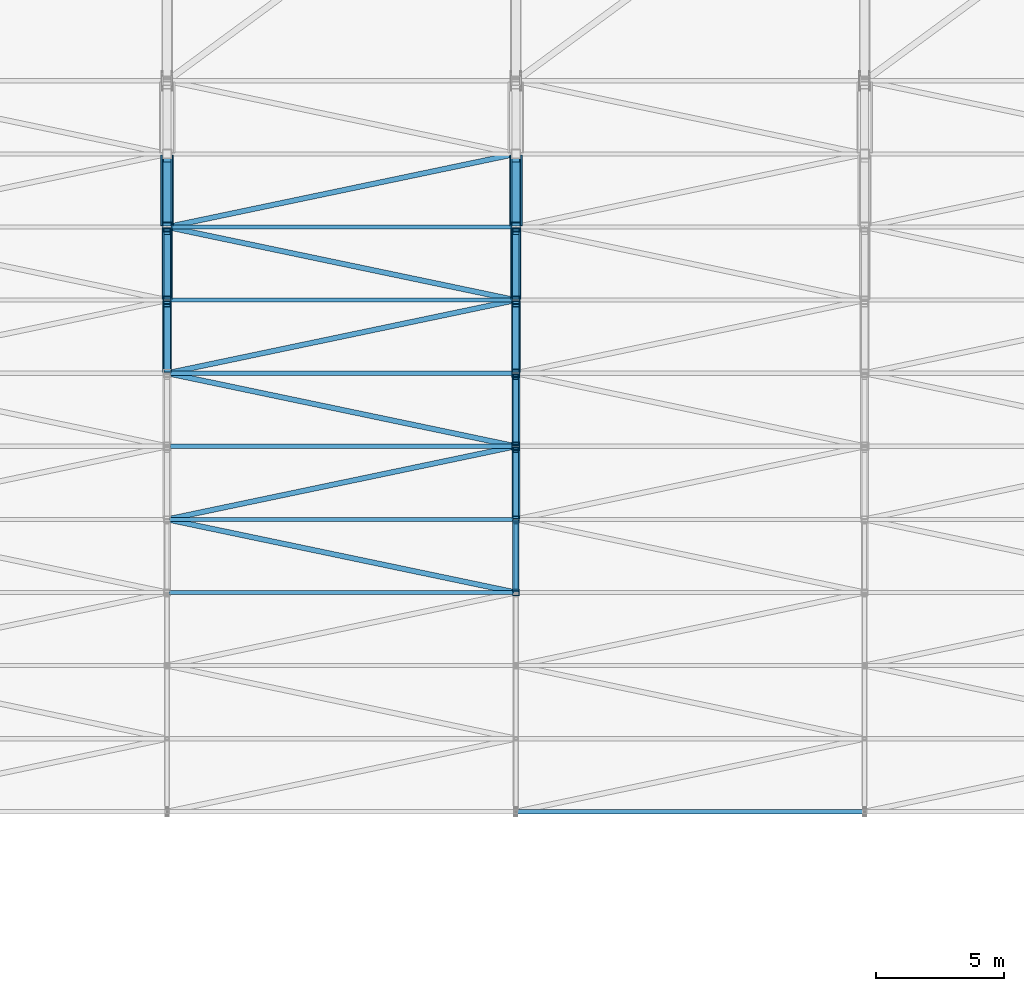
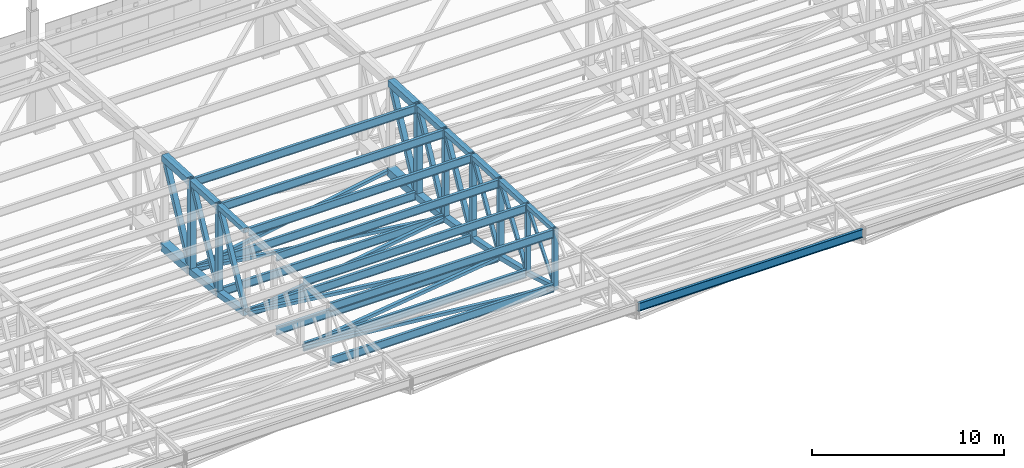
# One storey, part 81 of 278: 28 members, 26 beams.
"""IFC4 building model written with IfcOpenShell, lengths in metres."""

from ifc_helpers import new_model, si_unit, direction, frame, origin, origin_2d, place, context, subcontext, project, spatial, hollow_rectangle, i_section, extrude, material, material_profile, profile_set, type_object, element, save


model = new_model("IFC4")

# Units and contexts
model_context = context("Model", 3, precision=1e-05, world=origin(), true_north=direction((0.0, 1.0)))
body_context = subcontext(model_context, "Body", "Model", "MODEL_VIEW")
ifc_project = project(units=[si_unit("LENGTHUNIT", "METRE"), si_unit("AREAUNIT", "SQUARE_METRE"), si_unit("VOLUMEUNIT", "CUBIC_METRE"), si_unit("PLANEANGLEUNIT", "RADIAN"), si_unit("MASSUNIT", "GRAM", prefix="KILO")], contexts=[model_context])

# Site, building, storey
site_placement = place(None, origin())
site = spatial("IfcSite", under=ifc_project, at=site_placement, CompositionType="ELEMENT")
building_placement = place(site_placement, origin())
building = spatial("IfcBuilding", under=site, at=building_placement, Name="Ogive Plaza Stadium", CompositionType="ELEMENT")
storey_placement = place(building_placement, frame((0.0, 0.0, 29.0)))
storey = spatial("IfcBuildingStorey", under=building, at=storey_placement, Name="Roof", CompositionType="ELEMENT", Elevation=29.0)

# Members
ifc_material_1 = material(Name="Steel ASTM A500 Grade C", Category="steel")
ifc_material_profile_1 = material_profile(ifc_material_1, hollow_rectangle(XDim=0.203125, YDim=0.203125, WallThickness=0.0087890625, at=origin_2d()), Name="HSS8X8X3/8")
ifc_profile_set_1 = profile_set([ifc_material_profile_1], Name="Steel ASTM A500 Grade C")
member_type_1 = type_object("IfcMemberType", Name="Roof plan brace HSS8X8X3/8", PredefinedType="BRACE", material=ifc_profile_set_1)
member_1_placement = place(storey_placement, frame((6.70703125, 72.569580078125, 3.269775390625), z_axis=(-0.977082530992, 0.204752597487, -0.058190217838), x_axis=(-0.205100136873, -0.978740994265, 0.0)))
element("IfcMember", 1, at=member_1_placement, inside=storey, type_object=member_type_1, Name="ROOF BRACE B34 4", PredefinedType="BRACE", context=body_context, shape_type="SweptSolid", body=[
    extrude(hollow_rectangle(XDim=0.203125, YDim=0.203125, WallThickness=0.0087890625, at=origin_2d()), origin(), (0.0, 0.0, 1.0), 13.70263671875),
])
member_2_placement = place(storey_placement, frame((-6.681640625, 75.4248046875, 2.459228515625), z_axis=(0.977474612888, 0.204849020574, -0.05079625901), x_axis=(-0.205113814972, 0.97873812785, 0.0)))
element("IfcMember", 2, at=member_2_placement, inside=storey, type_object=member_type_1, Name="ROOF BRACE B34 5", PredefinedType="BRACE", context=body_context, shape_type="SweptSolid", body=[
    extrude(hollow_rectangle(XDim=0.203125, YDim=0.203125, WallThickness=0.0087890625, at=origin_2d()), origin(), (0.0, 0.0, 1.0), 13.64501953125),
])
member_3_placement = place(storey_placement, frame((6.656005859375, 78.280029296875, 1.752685546875), z_axis=(-0.977964741521, 0.204951823008, -0.039745623505), x_axis=(-0.20511389775, -0.978738110502, 0.0)))
element("IfcMember", 3, at=member_3_placement, inside=storey, type_object=member_type_1, Name="ROOF BRACE B34 6", PredefinedType="BRACE", context=body_context, shape_type="SweptSolid", body=[
    extrude(hollow_rectangle(XDim=0.203125, YDim=0.203125, WallThickness=0.0087890625, at=origin_2d()), origin(), (0.0, 0.0, 1.0), 13.612060546875),
])
member_4_placement = place(storey_placement, frame((-6.656005859375, 81.130126953125, 1.201416015625), z_axis=(0.978281677064, 0.20501824311, -0.030536540629), x_axis=(-0.20511389775, 0.978738110502, 0.0)))
element("IfcMember", 4, at=member_4_placement, inside=storey, type_object=member_type_1, Name="ROOF BRACE B34 7", PredefinedType="BRACE", context=body_context, shape_type="SweptSolid", body=[
    extrude(hollow_rectangle(XDim=0.203125, YDim=0.203125, WallThickness=0.0087890625, at=origin_2d()), origin(), (0.0, 0.0, 1.0), 13.607666015625),
])
member_5_placement = place(storey_placement, frame((6.656005859375, 83.980224609375, 0.778564453125), z_axis=(-0.978553602064, 0.20507154885, -0.019455275393), x_axis=(-0.205110370456, -0.97873884971, 0.0)))
element("IfcMember", 5, at=member_5_placement, inside=storey, type_object=member_type_1, Name="ROOF BRACE B34 8", PredefinedType="BRACE", context=body_context, shape_type="SweptSolid", body=[
    extrude(hollow_rectangle(XDim=0.203125, YDim=0.203125, WallThickness=0.0087890625, at=origin_2d()), origin(), (0.0, 0.0, 1.0), 13.577880859375),
])
member_6_placement = place(storey_placement, frame((-6.630615234375, 86.83544921875, 0.50927734375), z_axis=(0.978688515833, 0.205096126067, -0.010216068126), x_axis=(-0.205106829646, 0.978739591736, 0.0)))
element("IfcMember", 6, at=member_6_placement, inside=storey, type_object=member_type_1, Name="ROOF BRACE B34 9", PredefinedType="BRACE", context=body_context, shape_type="SweptSolid", body=[
    extrude(hollow_rectangle(XDim=0.203125, YDim=0.203125, WallThickness=0.0087890625, at=origin_2d()), origin(), (0.0, 0.0, 1.0), 13.550048828125),
])
ifc_material_2 = material(Name="Steel ASTM A992 Grade 50", Category="steel")
ifc_material_profile_2 = material_profile(ifc_material_2, i_section(OverallWidth=0.1650390625, OverallDepth=0.524658203125, WebThickness=0.0087890625, FlangeThickness=0.011474609375, at=origin_2d()), Name="W21X44")
ifc_profile_set_2 = profile_set([ifc_material_profile_2], Name="Steel ASTM A992 Grade 50")
member_type_2 = type_object("IfcMemberType", Name="Roof plan strut W21X44", PredefinedType="STRUT", material=ifc_profile_set_2)
member_7_placement = place(storey_placement, frame((-6.728515625, 72.550048828125, 3.275146484375), z_axis=(1.0, 0.0, 0.0), x_axis=(0.0, 1.0, 0.0)))
element("IfcMember", 7, at=member_7_placement, inside=storey, type_object=member_type_2, Name="ROOF STRUT B34 3", PredefinedType="STRUT", context=body_context, shape_type="SweptSolid", body=[
    extrude(i_section(OverallWidth=0.1650390625, OverallDepth=0.524658203125, WebThickness=0.0087890625, FlangeThickness=0.011474609375, at=origin_2d()), origin(), (0.0, 0.0, 1.0), 13.45703125),
])
member_8_placement = place(storey_placement, frame((-6.702880859375, 75.39990234375, 2.46533203125), z_axis=(1.0, 0.0, 0.0), x_axis=(0.0, 1.0, 0.0)))
element("IfcMember", 8, at=member_8_placement, inside=storey, type_object=member_type_2, Name="ROOF STRUT B34 4", PredefinedType="STRUT", context=body_context, shape_type="SweptSolid", body=[
    extrude(i_section(OverallWidth=0.1650390625, OverallDepth=0.524658203125, WebThickness=0.0087890625, FlangeThickness=0.011474609375, at=origin_2d()), origin(), (0.0, 0.0, 1.0), 13.40576171875),
])
for number, where, z_axis, x_axis, name in (
    (9, (-6.677490234375, 78.25, 1.758544921875), (1.0, 0.0, 0.0), (0.0, 1.0, 0.0), "ROOF STRUT B34 5"),
    (10, (-6.677490234375, 81.10009765625, 1.205810546875), (1.0, 0.0, 0.0), (0.0, 1.0, 0.0), "ROOF STRUT B34 6"),
    (11, (-6.677490234375, 83.949951171875, 0.781494140625), (1.0, 0.0, 0.0), (0.0, 1.0, 0.0), "ROOF STRUT B34 7"),
):
    element("IfcMember", number, at=place(storey_placement, frame(where, z_axis=z_axis, x_axis=x_axis)), inside=storey, type_object=member_type_2, Name=name, PredefinedType="STRUT", context=body_context, shape_type="SweptSolid", body=[
        extrude(i_section(OverallWidth=0.1650390625, OverallDepth=0.524658203125, WebThickness=0.0087890625, FlangeThickness=0.011474609375, at=origin_2d()), origin(), (0.0, 0.0, 1.0), 13.35498046875),
    ])
member_9_placement = place(storey_placement, frame((-6.652099609375, 86.800048828125, 0.510986328125), z_axis=(1.0, 0.0, 0.0), x_axis=(0.0, 1.0, 0.0)))
element("IfcMember", 12, at=member_9_placement, inside=storey, type_object=member_type_2, Name="ROOF STRUT B34 8", PredefinedType="STRUT", context=body_context, shape_type="SweptSolid", body=[
    extrude(i_section(OverallWidth=0.1650390625, OverallDepth=0.524658203125, WebThickness=0.0087890625, FlangeThickness=0.011474609375, at=origin_2d()), origin(), (0.0, 0.0, 1.0), 13.30419921875),
])
ifc_material_3 = material(Name="Steel ASTM A992 Grade 50", Category="steel")
ifc_material_profile_3 = material_profile(ifc_material_3, i_section(OverallWidth=0.1650390625, OverallDepth=0.524658203125, WebThickness=0.0087890625, FlangeThickness=0.011474609375, at=origin_2d()), Name="W21X44")
ifc_profile_set_3 = profile_set([ifc_material_profile_3], Name="Steel ASTM A992 Grade 50")
member_type_3 = type_object("IfcMemberType", Name="Roof purlin W21X44", PredefinedType="PURLIN", material=ifc_profile_set_3)
member_10_placement = place(storey_placement, frame((-6.728515625, 72.550048828125, 6.735107421875), z_axis=(1.0, 0.0, 0.0), x_axis=(0.0, 1.0, 0.0)))
element("IfcMember", 13, at=member_10_placement, inside=storey, type_object=member_type_3, Name="ROOF PURLIN B34 3", PredefinedType="PURLIN", context=body_context, shape_type="SweptSolid", body=[
    extrude(i_section(OverallWidth=0.1650390625, OverallDepth=0.524658203125, WebThickness=0.0087890625, FlangeThickness=0.011474609375, at=origin_2d()), origin(), (0.0, 0.0, 1.0), 13.45703125),
])
member_11_placement = place(storey_placement, frame((-6.702880859375, 75.39990234375, 6.592529296875), z_axis=(1.0, 0.0, 0.0), x_axis=(0.0, 1.0, 0.0)))
element("IfcMember", 14, at=member_11_placement, inside=storey, type_object=member_type_3, Name="ROOF PURLIN B34 4", PredefinedType="PURLIN", context=body_context, shape_type="SweptSolid", body=[
    extrude(i_section(OverallWidth=0.1650390625, OverallDepth=0.524658203125, WebThickness=0.0087890625, FlangeThickness=0.011474609375, at=origin_2d()), origin(), (0.0, 0.0, 1.0), 13.40576171875),
])
for number, where, z_axis, x_axis, name in (
    (15, (-6.677490234375, 78.25, 6.4501953125), (1.0, 0.0, 0.0), (0.0, 1.0, 0.0), "ROOF PURLIN B34 5"),
    (16, (-6.677490234375, 81.10009765625, 6.3076171875), (1.0, 0.0, 0.0), (0.0, 1.0, 0.0), "ROOF PURLIN B34 6"),
    (17, (-6.677490234375, 83.949951171875, 6.1650390625), (1.0, 0.0, 0.0), (0.0, 1.0, 0.0), "ROOF PURLIN B34 7"),
):
    element("IfcMember", number, at=place(storey_placement, frame(where, z_axis=z_axis, x_axis=x_axis)), inside=storey, type_object=member_type_3, Name=name, PredefinedType="PURLIN", context=body_context, shape_type="SweptSolid", body=[
        extrude(i_section(OverallWidth=0.1650390625, OverallDepth=0.524658203125, WebThickness=0.0087890625, FlangeThickness=0.011474609375, at=origin_2d()), origin(), (0.0, 0.0, 1.0), 13.35498046875),
    ])
member_12_placement = place(storey_placement, frame((-6.652099609375, 86.800048828125, 6.022705078125), z_axis=(1.0, 0.0, 0.0), x_axis=(0.0, 1.0, 0.0)))
element("IfcMember", 18, at=member_12_placement, inside=storey, type_object=member_type_3, Name="ROOF PURLIN B34 8", PredefinedType="PURLIN", context=body_context, shape_type="SweptSolid", body=[
    extrude(i_section(OverallWidth=0.1650390625, OverallDepth=0.524658203125, WebThickness=0.0087890625, FlangeThickness=0.011474609375, at=origin_2d()), origin(), (0.0, 0.0, 1.0), 13.30419921875),
])
ifc_material_4 = material(Name="Steel ASTM A992 Grade 50", Category="steel")
ifc_material_profile_4 = material_profile(ifc_material_4, i_section(OverallWidth=0.1650390625, OverallDepth=0.524658203125, WebThickness=0.0087890625, FlangeThickness=0.011474609375, at=origin_2d()), Name="W21X44")
ifc_profile_set_4 = profile_set([ifc_material_profile_4], Name="Steel ASTM A992 Grade 50")
member_type_4 = type_object("IfcMemberType", Name="Roof tip ring beam W21X44", PredefinedType="MEMBER", material=ifc_profile_set_4)
member_13_placement = place(storey_placement, frame((6.84619140625, 64.0, 7.16259765625), z_axis=(1.0, 0.0, 0.0), x_axis=(0.0, 1.0, 0.0)))
element("IfcMember", 19, at=member_13_placement, inside=storey, type_object=member_type_4, Name="RING BEAM B35", PredefinedType="MEMBER", context=body_context, shape_type="SweptSolid", body=[
    extrude(i_section(OverallWidth=0.1650390625, OverallDepth=0.524658203125, WebThickness=0.0087890625, FlangeThickness=0.011474609375, at=origin_2d()), origin(), (0.0, 0.0, 1.0), 13.507568359375),
])

# Beams
ifc_material_5 = material(Name="Steel ASTM A500 Grade C", Category="steel")
ifc_material_profile_5 = material_profile(ifc_material_5, hollow_rectangle(XDim=0.25390625, YDim=0.25390625, WallThickness=0.01171875, at=origin_2d()), Name="HSS10X10X1/2")
ifc_profile_set_5 = profile_set([ifc_material_profile_5], Name="Steel ASTM A500 Grade C")
beam_type_1 = type_object("IfcBeamType", Name="Roof truss bottom chord HSS10X10X1/2", PredefinedType="BEAM", material=ifc_profile_set_5)
beam_1_placement = place(storey_placement, frame((6.800048828125, 72.60009765625, 3.265869140625), z_axis=(0.0, 0.959640437259, -0.281229854705), x_axis=(-1.0, 0.0, 0.0)))
element("IfcBeam", 20, at=beam_1_placement, inside=storey, type_object=beam_type_1, Name="ROOF TRUSS T35 BOTTOM CHORD 4", PredefinedType="BEAM", context=body_context, shape_type="SweptSolid", body=[
    extrude(hollow_rectangle(XDim=0.25390625, YDim=0.25390625, WallThickness=0.01171875, at=origin_2d()), origin(), (0.0, 0.0, 1.0), 2.86572265625),
])
ifc_material_6 = material(Name="Steel ASTM A500 Grade C", Category="steel")
ifc_material_profile_6 = material_profile(ifc_material_6, hollow_rectangle(XDim=0.3046875, YDim=0.3046875, WallThickness=0.0146484375, at=origin_2d()), Name="HSS12X12X5/8")
ifc_profile_set_6 = profile_set([ifc_material_profile_6], Name="Steel ASTM A500 Grade C")
beam_type_2 = type_object("IfcBeamType", Name="Roof truss bottom chord HSS12X12X5/8", PredefinedType="BEAM", material=ifc_profile_set_6)
beam_2_placement = place(storey_placement, frame((6.800048828125, 75.449951171875, 2.45751953125), z_axis=(0.0, 0.970607032995, -0.240669872439), x_axis=(-1.0, 0.0, 0.0)))
element("IfcBeam", 21, at=beam_2_placement, inside=storey, type_object=beam_type_2, Name="ROOF TRUSS T35 BOTTOM CHORD 5", PredefinedType="BEAM", context=body_context, shape_type="SweptSolid", body=[
    extrude(hollow_rectangle(XDim=0.3046875, YDim=0.3046875, WallThickness=0.0146484375, at=origin_2d()), origin(), (0.0, 0.0, 1.0), 2.833251953125),
])
beam_3_placement = place(storey_placement, frame((6.800048828125, 78.300048828125, 1.751708984375), z_axis=(0.0, 0.980021250437, -0.19889280704), x_axis=(-1.0, 0.0, 0.0)))
element("IfcBeam", 22, at=beam_3_placement, inside=storey, type_object=beam_type_2, Name="ROOF TRUSS T35 BOTTOM CHORD 6", PredefinedType="BEAM", context=body_context, shape_type="SweptSolid", body=[
    extrude(hollow_rectangle(XDim=0.3046875, YDim=0.3046875, WallThickness=0.0146484375, at=origin_2d()), origin(), (0.0, 0.0, 1.0), 2.80615234375),
])
ifc_material_7 = material(Name="Steel ASTM A500 Grade C", Category="steel")
ifc_material_profile_7 = material_profile(ifc_material_7, hollow_rectangle(XDim=0.355712890625, YDim=0.355712890625, WallThickness=0.0146484375, at=origin_2d()), Name="HSS14X14X5/8")
ifc_profile_set_7 = profile_set([ifc_material_profile_7], Name="Steel ASTM A500 Grade C")
beam_type_3 = type_object("IfcBeamType", Name="Roof truss bottom chord HSS14X14X5/8", PredefinedType="BEAM", material=ifc_profile_set_7)
for number, where, z_axis, x_axis, name in (
    (23, (-6.800048828125, 81.14990234375, 1.2001953125), (0.0, 0.987770074518, -0.155917541947), (-1.0, 0.0, 0.0), "ROOF TRUSS T34 BOTTOM CHORD 7"),
    (24, (6.800048828125, 81.14990234375, 1.2001953125), (0.0, 0.987770074518, -0.155917541947), (-1.0, 0.0, 0.0), "ROOF TRUSS T35 BOTTOM CHORD 7"),
):
    element("IfcBeam", number, at=place(storey_placement, frame(where, z_axis=z_axis, x_axis=x_axis)), inside=storey, type_object=beam_type_3, Name=name, PredefinedType="BEAM", context=body_context, shape_type="SweptSolid", body=[
        extrude(hollow_rectangle(XDim=0.355712890625, YDim=0.355712890625, WallThickness=0.0146484375, at=origin_2d()), origin(), (0.0, 0.0, 1.0), 2.783935546875),
    ])
ifc_material_8 = material(Name="Steel ASTM A500 Grade C", Category="steel")
ifc_material_profile_8 = material_profile(ifc_material_8, hollow_rectangle(XDim=0.406494140625, YDim=0.406494140625, WallThickness=0.0146484375, at=origin_2d()), Name="HSS16X16X5/8")
ifc_profile_set_8 = profile_set([ifc_material_profile_8], Name="Steel ASTM A500 Grade C")
beam_type_4 = type_object("IfcBeamType", Name="Roof truss bottom chord HSS16X16X5/8", PredefinedType="BEAM", material=ifc_profile_set_8)
for number, where, z_axis, x_axis, name in (
    (25, (-6.800048828125, 84.0, 0.777099609375), (0.0, 0.993703844406, -0.112038696946), (-1.0, 0.0, 0.0), "ROOF TRUSS T34 BOTTOM CHORD 8"),
    (26, (6.800048828125, 84.0, 0.777099609375), (0.0, 0.993703844406, -0.112038696946), (-1.0, 0.0, 0.0), "ROOF TRUSS T35 BOTTOM CHORD 8"),
):
    element("IfcBeam", number, at=place(storey_placement, frame(where, z_axis=z_axis, x_axis=x_axis)), inside=storey, type_object=beam_type_4, Name=name, PredefinedType="BEAM", context=body_context, shape_type="SweptSolid", body=[
        extrude(hollow_rectangle(XDim=0.406494140625, YDim=0.406494140625, WallThickness=0.0146484375, at=origin_2d()), origin(), (0.0, 0.0, 1.0), 2.767333984375),
    ])
ifc_material_9 = material(Name="Steel ASTM A500 Grade C", Category="steel")
ifc_material_profile_9 = material_profile(ifc_material_9, hollow_rectangle(XDim=0.508056640625, YDim=0.508056640625, WallThickness=0.0146484375, at=origin_2d()), Name="HSS20X20X5/8")
ifc_profile_set_9 = profile_set([ifc_material_profile_9], Name="Steel ASTM A500 Grade C")
beam_type_5 = type_object("IfcBeamType", Name="Roof truss bottom chord HSS20X20X5/8", PredefinedType="BEAM", material=ifc_profile_set_9)
for number, where, z_axis, x_axis, name in (
    (27, (-6.800048828125, 86.85009765625, 0.50830078125), (0.0, 0.997719620387, -0.06749488199), (-1.0, 0.0, 0.0), "ROOF TRUSS T34 BOTTOM CHORD 9"),
    (28, (6.800048828125, 86.85009765625, 0.50830078125), (0.0, 0.997719620387, -0.06749488199), (-1.0, 0.0, 0.0), "ROOF TRUSS T35 BOTTOM CHORD 9"),
):
    element("IfcBeam", number, at=place(storey_placement, frame(where, z_axis=z_axis, x_axis=x_axis)), inside=storey, type_object=beam_type_5, Name=name, PredefinedType="BEAM", context=body_context, shape_type="SweptSolid", body=[
        extrude(hollow_rectangle(XDim=0.508056640625, YDim=0.508056640625, WallThickness=0.0146484375, at=origin_2d()), origin(), (0.0, 0.0, 1.0), 2.75634765625),
    ])

# Members
ifc_material_10 = material(Name="Steel ASTM A500 Grade C", Category="steel")
ifc_material_profile_10 = material_profile(ifc_material_10, hollow_rectangle(XDim=0.25390625, YDim=0.25390625, WallThickness=0.0087890625, at=origin_2d()), Name="HSS10X10X3/8")
ifc_profile_set_10 = profile_set([ifc_material_profile_10], Name="Steel ASTM A500 Grade C")
member_type_5 = type_object("IfcMemberType", Name="Roof truss diagonal HSS10X10X3/8", PredefinedType="BRACE", material=ifc_profile_set_10)
member_14_placement = place(storey_placement, frame((-6.800048828125, 81.25244140625, 1.383544921875), z_axis=(0.0, 0.473127942579, 0.880993728667), x_axis=(-1.0, 0.0, 0.0)))
element("IfcMember", 29, at=member_14_placement, inside=storey, type_object=member_type_5, Name="ROOF TRUSS T34 DIAGONAL 7", PredefinedType="BRACE", context=body_context, shape_type="SweptSolid", body=[
    extrude(hollow_rectangle(XDim=0.25390625, YDim=0.25390625, WallThickness=0.0087890625, at=origin_2d()), origin(), (0.0, 0.0, 1.0), 5.37939453125),
])
member_15_placement = place(storey_placement, frame((-6.800048828125, 84.102294921875, 0.984619140625), z_axis=(0.0, 0.454062843231, 0.890969659639), x_axis=(-1.0, 0.0, 0.0)))
element("IfcMember", 30, at=member_15_placement, inside=storey, type_object=member_type_5, Name="ROOF TRUSS T34 DIAGONAL 8", PredefinedType="BRACE", context=body_context, shape_type="SweptSolid", body=[
    extrude(hollow_rectangle(XDim=0.25390625, YDim=0.25390625, WallThickness=0.0087890625, at=origin_2d()), origin(), (0.0, 0.0, 1.0), 5.550048828125),
])
member_16_placement = place(storey_placement, frame((6.800048828125, 81.25244140625, 1.383544921875), z_axis=(0.0, 0.473127942579, 0.880993728667), x_axis=(-1.0, 0.0, 0.0)))
element("IfcMember", 31, at=member_16_placement, inside=storey, type_object=member_type_5, Name="ROOF TRUSS T35 DIAGONAL 7", PredefinedType="BRACE", context=body_context, shape_type="SweptSolid", body=[
    extrude(hollow_rectangle(XDim=0.25390625, YDim=0.25390625, WallThickness=0.0087890625, at=origin_2d()), origin(), (0.0, 0.0, 1.0), 5.37939453125),
])
member_17_placement = place(storey_placement, frame((6.800048828125, 84.102294921875, 0.984619140625), z_axis=(0.0, 0.454062843231, 0.890969659639), x_axis=(-1.0, 0.0, 0.0)))
element("IfcMember", 32, at=member_17_placement, inside=storey, type_object=member_type_5, Name="ROOF TRUSS T35 DIAGONAL 8", PredefinedType="BRACE", context=body_context, shape_type="SweptSolid", body=[
    extrude(hollow_rectangle(XDim=0.25390625, YDim=0.25390625, WallThickness=0.0087890625, at=origin_2d()), origin(), (0.0, 0.0, 1.0), 5.550048828125),
])
ifc_material_11 = material(Name="Steel ASTM A500 Grade C", Category="steel")
ifc_material_profile_11 = material_profile(ifc_material_11, hollow_rectangle(XDim=0.3046875, YDim=0.3046875, WallThickness=0.0087890625, at=origin_2d()), Name="HSS12X12X3/8")
ifc_profile_set_11 = profile_set([ifc_material_profile_11], Name="Steel ASTM A500 Grade C")
member_type_6 = type_object("IfcMemberType", Name="Roof truss diagonal HSS12X12X3/8", PredefinedType="BRACE", material=ifc_profile_set_11)
for number, where, z_axis, x_axis, name in (
    (33, (-6.800048828125, 86.977783203125, 0.764892578125), (0.0, 0.448477330766, 0.893794206621), (-1.0, 0.0, 0.0), "ROOF TRUSS T34 DIAGONAL 9"),
    (34, (6.800048828125, 86.977783203125, 0.764892578125), (0.0, 0.448477330766, 0.893794206621), (-1.0, 0.0, 0.0), "ROOF TRUSS T35 DIAGONAL 9"),
):
    element("IfcMember", number, at=place(storey_placement, frame(where, z_axis=z_axis, x_axis=x_axis)), inside=storey, type_object=member_type_6, Name=name, PredefinedType="BRACE", context=body_context, shape_type="SweptSolid", body=[
        extrude(hollow_rectangle(XDim=0.3046875, YDim=0.3046875, WallThickness=0.0087890625, at=origin_2d()), origin(), (0.0, 0.0, 1.0), 5.56201171875),
    ])
ifc_material_12 = material(Name="Steel ASTM A500 Grade C", Category="steel")
ifc_material_profile_12 = material_profile(ifc_material_12, hollow_rectangle(XDim=0.15234375, YDim=0.15234375, WallThickness=0.0087890625, at=origin_2d()), Name="HSS6X6X3/8")
ifc_profile_set_12 = profile_set([ifc_material_profile_12], Name="Steel ASTM A500 Grade C")
member_type_7 = type_object("IfcMemberType", Name="Roof truss diagonal HSS6X6X3/8", PredefinedType="BRACE", material=ifc_profile_set_12)
member_18_placement = place(storey_placement, frame((6.800048828125, 72.677001953125, 3.40234375), z_axis=(0.0, 0.630150764463, 0.77647280316), x_axis=(-1.0, 0.0, 0.0)))
element("IfcMember", 35, at=member_18_placement, inside=storey, type_object=member_type_7, Name="ROOF TRUSS T35 DIAGONAL 4", PredefinedType="BRACE", context=body_context, shape_type="SweptSolid", body=[
    extrude(hollow_rectangle(XDim=0.15234375, YDim=0.15234375, WallThickness=0.0087890625, at=origin_2d()), origin(), (0.0, 0.0, 1.0), 4.11962890625),
])
ifc_material_13 = material(Name="Steel ASTM A500 Grade C", Category="steel")
ifc_material_profile_13 = material_profile(ifc_material_13, hollow_rectangle(XDim=0.203125, YDim=0.203125, WallThickness=0.0087890625, at=origin_2d()), Name="HSS8X8X3/8")
ifc_profile_set_13 = profile_set([ifc_material_profile_13], Name="Steel ASTM A500 Grade C")
member_type_8 = type_object("IfcMemberType", Name="Roof truss diagonal HSS8X8X3/8", PredefinedType="BRACE", material=ifc_profile_set_13)
member_19_placement = place(storey_placement, frame((6.800048828125, 75.527099609375, 2.617919921875), z_axis=(0.0, 0.561338440243, 0.827586343233), x_axis=(-1.0, 0.0, 0.0)))
element("IfcMember", 36, at=member_19_placement, inside=storey, type_object=member_type_8, Name="ROOF TRUSS T35 DIAGONAL 5", PredefinedType="BRACE", context=body_context, shape_type="SweptSolid", body=[
    extrude(hollow_rectangle(XDim=0.203125, YDim=0.203125, WallThickness=0.0087890625, at=origin_2d()), origin(), (0.0, 0.0, 1.0), 4.579345703125),
])
member_20_placement = place(storey_placement, frame((6.800048828125, 78.40234375, 1.9111328125), z_axis=(0.0, 0.504659398762, 0.863318534054), x_axis=(-1.0, 0.0, 0.0)))
element("IfcMember", 37, at=member_20_placement, inside=storey, type_object=member_type_8, Name="ROOF TRUSS T35 DIAGONAL 6", PredefinedType="BRACE", context=body_context, shape_type="SweptSolid", body=[
    extrude(hollow_rectangle(XDim=0.203125, YDim=0.203125, WallThickness=0.0087890625, at=origin_2d()), origin(), (0.0, 0.0, 1.0), 5.043212890625),
])

# Beams
ifc_material_14 = material(Name="Steel ASTM A500 Grade C", Category="steel")
ifc_material_profile_14 = material_profile(ifc_material_14, hollow_rectangle(XDim=0.25390625, YDim=0.25390625, WallThickness=0.01171875, at=origin_2d()), Name="HSS10X10X1/2")
ifc_profile_set_14 = profile_set([ifc_material_profile_14], Name="Steel ASTM A500 Grade C")
beam_type_6 = type_object("IfcBeamType", Name="Roof truss post HSS10X10X1/2", PredefinedType="BEAM", material=ifc_profile_set_14)
beam_4_placement = place(storey_placement, frame((6.800048828125, 72.550048828125, 3.148193359375), z_axis=(0.0, 0.0, 1.0), x_axis=(-1.0, 0.0, 0.0)))
element("IfcBeam", 38, at=beam_4_placement, inside=storey, type_object=beam_type_6, Name="ROOF TRUSS T35 POST 4", PredefinedType="BEAM", context=body_context, shape_type="SweptSolid", body=[
    extrude(hollow_rectangle(XDim=0.25390625, YDim=0.25390625, WallThickness=0.01171875, at=origin_2d()), origin(), (0.0, 0.0, 1.0), 3.849365234375),
])
beam_5_placement = place(storey_placement, frame((6.800048828125, 75.39990234375, 2.31298828125), z_axis=(0.0, 0.0, 1.0), x_axis=(-1.0, 0.0, 0.0)))
element("IfcBeam", 39, at=beam_5_placement, inside=storey, type_object=beam_type_6, Name="ROOF TRUSS T35 POST 5", PredefinedType="BEAM", context=body_context, shape_type="SweptSolid", body=[
    extrude(hollow_rectangle(XDim=0.25390625, YDim=0.25390625, WallThickness=0.01171875, at=origin_2d()), origin(), (0.0, 0.0, 1.0), 4.5419921875),
])
ifc_material_15 = material(Name="Steel ASTM A500 Grade C", Category="steel")
ifc_material_profile_15 = material_profile(ifc_material_15, hollow_rectangle(XDim=0.3046875, YDim=0.3046875, WallThickness=0.01171875, at=origin_2d()), Name="HSS12X12X1/2")
ifc_profile_set_15 = profile_set([ifc_material_profile_15], Name="Steel ASTM A500 Grade C")
beam_type_7 = type_object("IfcBeamType", Name="Roof truss post HSS12X12X1/2", PredefinedType="BEAM", material=ifc_profile_set_15)
beam_6_placement = place(storey_placement, frame((6.800048828125, 78.25, 1.606201171875), z_axis=(0.0, 0.0, 1.0), x_axis=(-1.0, 0.0, 0.0)))
element("IfcBeam", 40, at=beam_6_placement, inside=storey, type_object=beam_type_7, Name="ROOF TRUSS T35 POST 6", PredefinedType="BEAM", context=body_context, shape_type="SweptSolid", body=[
    extrude(hollow_rectangle(XDim=0.3046875, YDim=0.3046875, WallThickness=0.01171875, at=origin_2d()), origin(), (0.0, 0.0, 1.0), 5.106201171875),
])
ifc_material_16 = material(Name="Steel ASTM A500 Grade C", Category="steel")
ifc_material_profile_16 = material_profile(ifc_material_16, hollow_rectangle(XDim=0.3046875, YDim=0.3046875, WallThickness=0.0146484375, at=origin_2d()), Name="HSS12X12X5/8")
ifc_profile_set_16 = profile_set([ifc_material_profile_16], Name="Steel ASTM A500 Grade C")
beam_type_8 = type_object("IfcBeamType", Name="Roof truss post HSS12X12X5/8", PredefinedType="BEAM", material=ifc_profile_set_16)
beam_7_placement = place(storey_placement, frame((-6.800048828125, 83.949951171875, 0.578369140625), z_axis=(0.0, 0.0, 1.0), x_axis=(-1.0, 0.0, 0.0)))
element("IfcBeam", 41, at=beam_7_placement, inside=storey, type_object=beam_type_8, Name="ROOF TRUSS T34 POST 8", PredefinedType="BEAM", context=body_context, shape_type="SweptSolid", body=[
    extrude(hollow_rectangle(XDim=0.3046875, YDim=0.3046875, WallThickness=0.0146484375, at=origin_2d()), origin(), (0.0, 0.0, 1.0), 5.84912109375),
])
beam_8_placement = place(storey_placement, frame((6.800048828125, 81.10009765625, 1.028076171875), z_axis=(0.0, 0.0, 1.0), x_axis=(-1.0, 0.0, 0.0)))
element("IfcBeam", 42, at=beam_8_placement, inside=storey, type_object=beam_type_8, Name="ROOF TRUSS T35 POST 7", PredefinedType="BEAM", context=body_context, shape_type="SweptSolid", body=[
    extrude(hollow_rectangle(XDim=0.3046875, YDim=0.3046875, WallThickness=0.0146484375, at=origin_2d()), origin(), (0.0, 0.0, 1.0), 5.5419921875),
])
beam_9_placement = place(storey_placement, frame((6.800048828125, 83.949951171875, 0.578369140625), z_axis=(0.0, 0.0, 1.0), x_axis=(-1.0, 0.0, 0.0)))
element("IfcBeam", 43, at=beam_9_placement, inside=storey, type_object=beam_type_8, Name="ROOF TRUSS T35 POST 8", PredefinedType="BEAM", context=body_context, shape_type="SweptSolid", body=[
    extrude(hollow_rectangle(XDim=0.3046875, YDim=0.3046875, WallThickness=0.0146484375, at=origin_2d()), origin(), (0.0, 0.0, 1.0), 5.84912109375),
])
ifc_material_17 = material(Name="Steel ASTM A500 Grade C", Category="steel")
ifc_material_profile_17 = material_profile(ifc_material_17, hollow_rectangle(XDim=0.355712890625, YDim=0.355712890625, WallThickness=0.0146484375, at=origin_2d()), Name="HSS14X14X5/8")
ifc_profile_set_17 = profile_set([ifc_material_profile_17], Name="Steel ASTM A500 Grade C")
beam_type_9 = type_object("IfcBeamType", Name="Roof truss post HSS14X14X5/8", PredefinedType="BEAM", material=ifc_profile_set_17)
for number, where, z_axis, x_axis, name in (
    (44, (-6.800048828125, 86.800048828125, 0.257080078125), (0.0, 0.0, 1.0), (-1.0, 0.0, 0.0), "ROOF TRUSS T34 POST 9"),
    (45, (6.800048828125, 86.800048828125, 0.257080078125), (0.0, 0.0, 1.0), (-1.0, 0.0, 0.0), "ROOF TRUSS T35 POST 9"),
):
    element("IfcBeam", number, at=place(storey_placement, frame(where, z_axis=z_axis, x_axis=x_axis)), inside=storey, type_object=beam_type_9, Name=name, PredefinedType="BEAM", context=body_context, shape_type="SweptSolid", body=[
        extrude(hollow_rectangle(XDim=0.355712890625, YDim=0.355712890625, WallThickness=0.0146484375, at=origin_2d()), origin(), (0.0, 0.0, 1.0), 6.02783203125),
    ])
ifc_material_18 = material(Name="Steel ASTM A500 Grade C", Category="steel")
ifc_material_profile_18 = material_profile(ifc_material_18, hollow_rectangle(XDim=0.25390625, YDim=0.25390625, WallThickness=0.0087890625, at=origin_2d()), Name="HSS10X10X3/8")
ifc_profile_set_18 = profile_set([ifc_material_profile_18], Name="Steel ASTM A500 Grade C")
beam_type_10 = type_object("IfcBeamType", Name="Roof truss top chord HSS10X10X3/8", PredefinedType="BEAM", material=ifc_profile_set_18)
beam_10_placement = place(storey_placement, frame((6.800048828125, 72.60009765625, 6.867919921875), z_axis=(0.0, 0.998748798523, -0.05000837379), x_axis=(-1.0, 0.0, 0.0)))
element("IfcBeam", 46, at=beam_10_placement, inside=storey, type_object=beam_type_10, Name="ROOF TRUSS T35 TOP CHORD 4", PredefinedType="BEAM", context=body_context, shape_type="SweptSolid", body=[
    extrude(hollow_rectangle(XDim=0.25390625, YDim=0.25390625, WallThickness=0.0087890625, at=origin_2d()), origin(), (0.0, 0.0, 1.0), 2.75341796875),
])
ifc_material_19 = material(Name="Steel ASTM A500 Grade C", Category="steel")
ifc_material_profile_19 = material_profile(ifc_material_19, hollow_rectangle(XDim=0.3046875, YDim=0.3046875, WallThickness=0.01171875, at=origin_2d()), Name="HSS12X12X1/2")
ifc_profile_set_19 = profile_set([ifc_material_profile_19], Name="Steel ASTM A500 Grade C")
beam_type_11 = type_object("IfcBeamType", Name="Roof truss top chord HSS12X12X1/2", PredefinedType="BEAM", material=ifc_profile_set_19)
for number, where, z_axis, x_axis, name in (
    (47, (-6.800048828125, 81.14990234375, 6.414794921875), (0.0, 0.998753223187, -0.049919927615), (-1.0, 0.0, 0.0), "ROOF TRUSS T34 TOP CHORD 7"),
    (48, (6.800048828125, 81.14990234375, 6.414794921875), (0.0, 0.998753223187, -0.049919927615), (-1.0, 0.0, 0.0), "ROOF TRUSS T35 TOP CHORD 7"),
):
    element("IfcBeam", number, at=place(storey_placement, frame(where, z_axis=z_axis, x_axis=x_axis)), inside=storey, type_object=beam_type_11, Name=name, PredefinedType="BEAM", context=body_context, shape_type="SweptSolid", body=[
        extrude(hollow_rectangle(XDim=0.3046875, YDim=0.3046875, WallThickness=0.01171875, at=origin_2d()), origin(), (0.0, 0.0, 1.0), 2.75341796875),
    ])
ifc_material_20 = material(Name="Steel ASTM A500 Grade C", Category="steel")
ifc_material_profile_20 = material_profile(ifc_material_20, hollow_rectangle(XDim=0.3046875, YDim=0.3046875, WallThickness=0.0087890625, at=origin_2d()), Name="HSS12X12X3/8")
ifc_profile_set_20 = profile_set([ifc_material_profile_20], Name="Steel ASTM A500 Grade C")
beam_type_12 = type_object("IfcBeamType", Name="Roof truss top chord HSS12X12X3/8", PredefinedType="BEAM", material=ifc_profile_set_20)
for number, where, z_axis, x_axis, name in (
    (49, (6.800048828125, 75.449951171875, 6.699951171875), (0.0, 0.998753223187, -0.049919927615), (-1.0, 0.0, 0.0), "ROOF TRUSS T35 TOP CHORD 5"),
    (50, (6.800048828125, 78.300048828125, 6.557373046875), (0.0, 0.998753223187, -0.049919927615), (-1.0, 0.0, 0.0), "ROOF TRUSS T35 TOP CHORD 6"),
):
    element("IfcBeam", number, at=place(storey_placement, frame(where, z_axis=z_axis, x_axis=x_axis)), inside=storey, type_object=beam_type_12, Name=name, PredefinedType="BEAM", context=body_context, shape_type="SweptSolid", body=[
        extrude(hollow_rectangle(XDim=0.3046875, YDim=0.3046875, WallThickness=0.0087890625, at=origin_2d()), origin(), (0.0, 0.0, 1.0), 2.75341796875),
    ])
ifc_material_21 = material(Name="Steel ASTM A500 Grade C", Category="steel")
ifc_material_profile_21 = material_profile(ifc_material_21, hollow_rectangle(XDim=0.355712890625, YDim=0.355712890625, WallThickness=0.01171875, at=origin_2d()), Name="HSS14X14X1/2")
ifc_profile_set_21 = profile_set([ifc_material_profile_21], Name="Steel ASTM A500 Grade C")
beam_type_13 = type_object("IfcBeamType", Name="Roof truss top chord HSS14X14X1/2", PredefinedType="BEAM", material=ifc_profile_set_21)
for number, where, z_axis, x_axis, name in (
    (51, (-6.800048828125, 84.0, 6.2470703125), (0.0, 0.998748798523, -0.05000837379), (-1.0, 0.0, 0.0), "ROOF TRUSS T34 TOP CHORD 8"),
    (52, (6.800048828125, 84.0, 6.2470703125), (0.0, 0.998748798523, -0.05000837379), (-1.0, 0.0, 0.0), "ROOF TRUSS T35 TOP CHORD 8"),
):
    element("IfcBeam", number, at=place(storey_placement, frame(where, z_axis=z_axis, x_axis=x_axis)), inside=storey, type_object=beam_type_13, Name=name, PredefinedType="BEAM", context=body_context, shape_type="SweptSolid", body=[
        extrude(hollow_rectangle(XDim=0.355712890625, YDim=0.355712890625, WallThickness=0.01171875, at=origin_2d()), origin(), (0.0, 0.0, 1.0), 2.75341796875),
    ])
ifc_material_22 = material(Name="Steel ASTM A500 Grade C", Category="steel")
ifc_material_profile_22 = material_profile(ifc_material_22, hollow_rectangle(XDim=0.406494140625, YDim=0.406494140625, WallThickness=0.01171875, at=origin_2d()), Name="HSS16X16X1/2")
ifc_profile_set_22 = profile_set([ifc_material_profile_22], Name="Steel ASTM A500 Grade C")
beam_type_14 = type_object("IfcBeamType", Name="Roof truss top chord HSS16X16X1/2", PredefinedType="BEAM", material=ifc_profile_set_22)
for number, where, z_axis, x_axis, name in (
    (53, (-6.800048828125, 86.85009765625, 6.0791015625), (0.0, 0.998753223187, -0.049919927615), (-1.0, 0.0, 0.0), "ROOF TRUSS T34 TOP CHORD 9"),
    (54, (6.800048828125, 86.85009765625, 6.0791015625), (0.0, 0.998753223187, -0.049919927615), (-1.0, 0.0, 0.0), "ROOF TRUSS T35 TOP CHORD 9"),
):
    element("IfcBeam", number, at=place(storey_placement, frame(where, z_axis=z_axis, x_axis=x_axis)), inside=storey, type_object=beam_type_14, Name=name, PredefinedType="BEAM", context=body_context, shape_type="SweptSolid", body=[
        extrude(hollow_rectangle(XDim=0.406494140625, YDim=0.406494140625, WallThickness=0.01171875, at=origin_2d()), origin(), (0.0, 0.0, 1.0), 2.75341796875),
    ])

save(model, "model.ifc")
